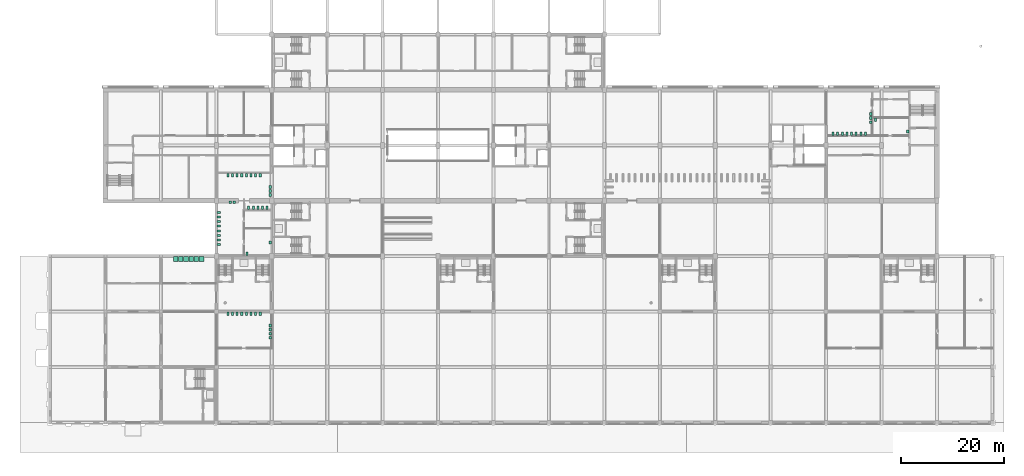
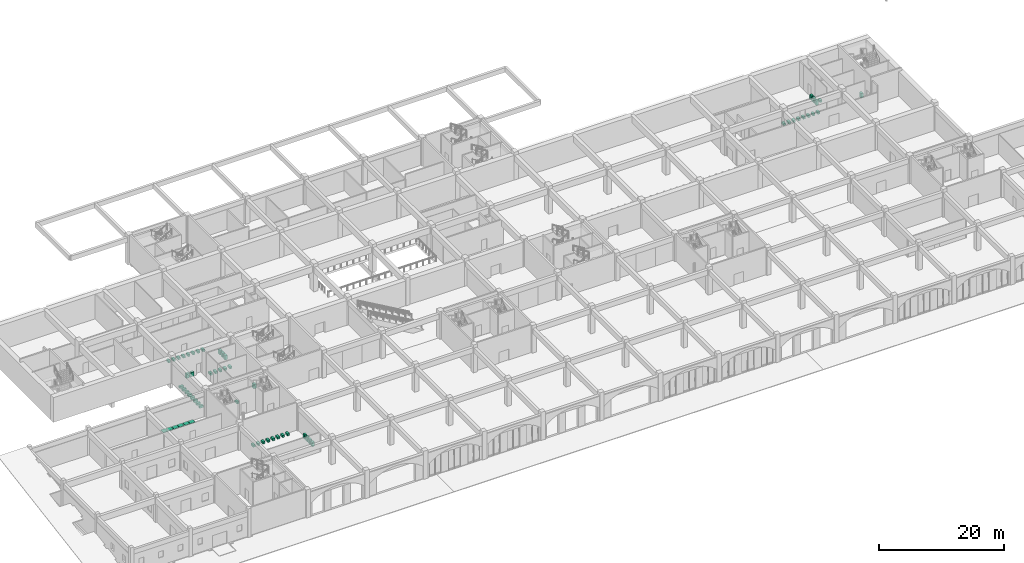
# One storey, part 100 of 101: 59 sanitary terminals.
"""IFC4 building model written with IfcOpenShell, lengths in metres."""

from ifc_helpers import new_model, si_unit, direction, frame, origin, origin_2d, place, context, subcontext, project, spatial, rectangle, extrude, element, save


model = new_model("IFC4")

# Units and contexts
model_context = context("Model", 3, precision=1e-05, world=origin(), true_north=direction((0.0, 1.0)))
body_context = subcontext(model_context, "Body", "Model", "MODEL_VIEW")
ifc_project = project(units=[si_unit("LENGTHUNIT", "METRE"), si_unit("AREAUNIT", "SQUARE_METRE"), si_unit("VOLUMEUNIT", "CUBIC_METRE"), si_unit("PLANEANGLEUNIT", "RADIAN"), si_unit("MASSUNIT", "GRAM", prefix="KILO")], contexts=[model_context])

# Site, building, storey
site_placement = place(None, origin())
site = spatial("IfcSite", under=ifc_project, at=site_placement, CompositionType="ELEMENT")
building_placement = place(site_placement, origin())
building = spatial("IfcBuilding", under=site, at=building_placement, Name="Magnolia Steps Interchange", CompositionType="ELEMENT")
storey_placement = place(building_placement, frame((0.0, 0.0, -5.39990234375)))
storey = spatial("IfcBuildingStorey", under=building, at=storey_placement, Name="B1", CompositionType="ELEMENT", Elevation=-5.39990234375)

# Sanitary terminals
for number, where, z_axis, x_axis, name in (
    (1, (44.64990234375, 58.14990234375, 0.0), (0.0, 0.0, 1.0), (1.0, 0.0, 0.0), "WC pan 1"),
    (2, (45.550048828125, 58.14990234375, 0.0), (0.0, 0.0, 1.0), (1.0, 0.0, 0.0), "WC pan 2"),
    (3, (46.449951171875, 58.14990234375, 0.0), (0.0, 0.0, 1.0), (1.0, 0.0, 0.0), "WC pan 3"),
    (4, (47.35009765625, 58.14990234375, 0.0), (0.0, 0.0, 1.0), (1.0, 0.0, 0.0), "WC pan 4"),
    (5, (48.25, 58.14990234375, 0.0), (0.0, 0.0, 1.0), (1.0, 0.0, 0.0), "WC pan 5"),
    (6, (49.14990234375, 58.14990234375, 0.0), (0.0, 0.0, 1.0), (1.0, 0.0, 0.0), "WC pan 6"),
    (7, (50.050048828125, 58.14990234375, 0.0), (0.0, 0.0, 1.0), (1.0, 0.0, 0.0), "WC pan 7"),
    (8, (50.949951171875, 58.14990234375, 0.0), (0.0, 0.0, 1.0), (1.0, 0.0, 0.0), "WC pan 8"),
):
    element("IfcSanitaryTerminal", number, at=place(storey_placement, frame(where, z_axis=z_axis, x_axis=x_axis)), inside=storey, Name=name, PredefinedType="TOILETPAN", context=body_context, shape_type="SweptSolid", body=[
        extrude(rectangle(XDim=0.39990234375, YDim=0.699951171875, at=origin_2d()), origin(), (0.0, 0.0, 1.0), 0.39990234375),
    ])
for number, where, z_axis, x_axis, name in (
    (9, (52.89990234375, 55.89990234375, -0.000244140625), (0.0, 0.0, 1.0), (1.0, 0.0, 0.0), "Wash basin 1"),
    (10, (52.89990234375, 55.10009765625, -0.000244140625), (0.0, 0.0, 1.0), (1.0, 0.0, 0.0), "Wash basin 2"),
    (11, (52.89990234375, 54.300048828125, -0.000244140625), (0.0, 0.0, 1.0), (1.0, 0.0, 0.0), "Wash basin 3"),
):
    element("IfcSanitaryTerminal", number, at=place(storey_placement, frame(where, z_axis=z_axis, x_axis=x_axis)), inside=storey, Name=name, PredefinedType="WASHHANDBASIN", context=body_context, shape_type="SweptSolid", body=[
        extrude(rectangle(XDim=0.449951171875, YDim=0.550048828125, at=origin_2d()), origin(), (0.0, 0.0, 1.0), 0.85009765625),
    ])
for number, where, z_axis, x_axis, name in (
    (12, (162.550048828125, 66.25, 0.0), (0.0, 0.0, 1.0), (1.0, 0.0, 0.0), "WC pan 1"),
    (13, (163.449951171875, 66.25, 0.0), (0.0, 0.0, 1.0), (1.0, 0.0, 0.0), "WC pan 2"),
    (14, (164.35009765625, 66.25, 0.0), (0.0, 0.0, 1.0), (1.0, 0.0, 0.0), "WC pan 3"),
    (15, (165.25, 66.25, 0.0), (0.0, 0.0, 1.0), (1.0, 0.0, 0.0), "WC pan 4"),
    (16, (166.14990234375, 66.25, 0.0), (0.0, 0.0, 1.0), (1.0, 0.0, 0.0), "WC pan 5"),
    (17, (167.050048828125, 66.25, 0.0), (0.0, 0.0, 1.0), (1.0, 0.0, 0.0), "WC pan 6"),
    (18, (167.949951171875, 66.25, 0.0), (0.0, 0.0, 1.0), (1.0, 0.0, 0.0), "WC pan 7"),
    (19, (168.85009765625, 66.25, 0.0), (0.0, 0.0, 1.0), (1.0, 0.0, 0.0), "WC pan 8"),
):
    element("IfcSanitaryTerminal", number, at=place(storey_placement, frame(where, z_axis=z_axis, x_axis=x_axis)), inside=storey, Name=name, PredefinedType="TOILETPAN", context=body_context, shape_type="SweptSolid", body=[
        extrude(rectangle(XDim=0.39990234375, YDim=0.699951171875, at=origin_2d()), origin(), (0.0, 0.0, 1.0), 0.39990234375),
    ])
for number, where, z_axis, x_axis, name in (
    (20, (169.89990234375, 68.5, -0.000244140625), (0.0, 0.0, 1.0), (1.0, 0.0, 0.0), "Wash basin 1"),
    (21, (169.89990234375, 69.300048828125, -0.000244140625), (0.0, 0.0, 1.0), (1.0, 0.0, 0.0), "Wash basin 2"),
    (22, (169.89990234375, 70.10009765625, -0.000244140625), (0.0, 0.0, 1.0), (1.0, 0.0, 0.0), "Wash basin 3"),
):
    element("IfcSanitaryTerminal", number, at=place(storey_placement, frame(where, z_axis=z_axis, x_axis=x_axis)), inside=storey, Name=name, PredefinedType="WASHHANDBASIN", context=body_context, shape_type="SweptSolid", body=[
        extrude(rectangle(XDim=0.449951171875, YDim=0.550048828125, at=origin_2d()), origin(), (0.0, 0.0, 1.0), 0.85009765625),
    ])
sanitary_terminal_1_placement = place(storey_placement, frame((170.800048828125, 68.949951171875, 0.0), z_axis=(0.0, 0.0, 1.0), x_axis=(1.0, 0.0, 0.0)))
element("IfcSanitaryTerminal", 23, at=sanitary_terminal_1_placement, inside=storey, Name="WC pan 1", PredefinedType="TOILETPAN", context=body_context, shape_type="SweptSolid", body=[
    extrude(rectangle(XDim=0.39990234375, YDim=0.699951171875, at=origin_2d()), origin(), (0.0, 0.0, 1.0), 0.39990234375),
])
sanitary_terminal_2_placement = place(storey_placement, frame((177.10009765625, 66.699951171875, -0.000244140625), z_axis=(0.0, 0.0, 1.0), x_axis=(1.0, 0.0, 0.0)))
element("IfcSanitaryTerminal", 24, at=sanitary_terminal_2_placement, inside=storey, Name="Wash basin 1", PredefinedType="WASHHANDBASIN", context=body_context, shape_type="SweptSolid", body=[
    extrude(rectangle(XDim=0.449951171875, YDim=0.550048828125, at=origin_2d()), origin(), (0.0, 0.0, 1.0), 0.85009765625),
])
for number, where, z_axis, x_axis, name in (
    (25, (42.85009765625, 44.64990234375, 0.0), (0.0, 0.0, 1.0), (0.0, 1.0, 0.0), "WC pan 1"),
    (26, (42.85009765625, 45.550048828125, 0.0), (0.0, 0.0, 1.0), (0.0, 1.0, 0.0), "WC pan 2"),
    (27, (42.85009765625, 46.449951171875, 0.0), (0.0, 0.0, 1.0), (0.0, 1.0, 0.0), "WC pan 3"),
    (28, (42.85009765625, 47.35009765625, 0.0), (0.0, 0.0, 1.0), (0.0, 1.0, 0.0), "WC pan 4"),
    (29, (42.85009765625, 48.25, 0.0), (0.0, 0.0, 1.0), (0.0, 1.0, 0.0), "WC pan 5"),
    (30, (42.85009765625, 49.14990234375, 0.0), (0.0, 0.0, 1.0), (0.0, 1.0, 0.0), "WC pan 6"),
    (31, (42.85009765625, 50.050048828125, 0.0), (0.0, 0.0, 1.0), (0.0, 1.0, 0.0), "WC pan 7"),
    (32, (42.85009765625, 50.949951171875, 0.0), (0.0, 0.0, 1.0), (0.0, 1.0, 0.0), "WC pan 8"),
):
    element("IfcSanitaryTerminal", number, at=place(storey_placement, frame(where, z_axis=z_axis, x_axis=x_axis)), inside=storey, Name=name, PredefinedType="TOILETPAN", context=body_context, shape_type="SweptSolid", body=[
        extrude(rectangle(XDim=0.39990234375, YDim=0.699951171875, at=origin_2d()), origin(), (0.0, 0.0, 1.0), 0.39990234375),
    ])
for number, where, z_axis, x_axis, name in (
    (33, (45.10009765625, 52.89990234375, -0.000244140625), (0.0, 0.0, 1.0), (1.0, 0.0, 0.0), "Wash basin 1"),
    (34, (45.89990234375, 52.89990234375, -0.000244140625), (0.0, 0.0, 1.0), (1.0, 0.0, 0.0), "Wash basin 2"),
):
    element("IfcSanitaryTerminal", number, at=place(storey_placement, frame(where, z_axis=z_axis, x_axis=x_axis)), inside=storey, Name=name, PredefinedType="WASHHANDBASIN", context=body_context, shape_type="SweptSolid", body=[
        extrude(rectangle(XDim=0.550048828125, YDim=0.449951171875, at=origin_2d()), origin(), (0.0, 0.0, 1.0), 0.85009765625),
    ])
sanitary_terminal_3_placement = place(storey_placement, frame((48.39990234375, 42.85009765625, 0.0), z_axis=(0.0, 0.0, 1.0), x_axis=(1.0, 0.0, 0.0)))
element("IfcSanitaryTerminal", 35, at=sanitary_terminal_3_placement, inside=storey, Name="WC pan 1", PredefinedType="TOILETPAN", context=body_context, shape_type="SweptSolid", body=[
    extrude(rectangle(XDim=0.39990234375, YDim=0.699951171875, at=origin_2d()), origin(), (0.0, 0.0, 1.0), 0.39990234375),
])
sanitary_terminal_4_placement = place(storey_placement, frame((52.89990234375, 45.10009765625, -0.000244140625), z_axis=(0.0, 0.0, 1.0), x_axis=(1.0, 0.0, 0.0)))
element("IfcSanitaryTerminal", 36, at=sanitary_terminal_4_placement, inside=storey, Name="Wash basin 1", PredefinedType="WASHHANDBASIN", context=body_context, shape_type="SweptSolid", body=[
    extrude(rectangle(XDim=0.449951171875, YDim=0.550048828125, at=origin_2d()), origin(), (0.0, 0.0, 1.0), 0.85009765625),
])
for number, where, z_axis, x_axis, name in (
    (37, (48.699951171875, 51.85009765625, 0.0), (0.0, 0.0, 1.0), (1.0, 0.0, 0.0), "WC pan 1"),
    (38, (49.60009765625, 51.85009765625, 0.0), (0.0, 0.0, 1.0), (1.0, 0.0, 0.0), "WC pan 2"),
    (39, (50.5, 51.85009765625, 0.0), (0.0, 0.0, 1.0), (1.0, 0.0, 0.0), "WC pan 3"),
    (40, (51.39990234375, 51.85009765625, 0.0), (0.0, 0.0, 1.0), (1.0, 0.0, 0.0), "WC pan 4"),
    (41, (52.300048828125, 51.85009765625, 0.0), (0.0, 0.0, 1.0), (1.0, 0.0, 0.0), "WC pan 5"),
    (42, (44.64990234375, 31.14990234375, 0.0), (0.0, 0.0, 1.0), (1.0, 0.0, 0.0), "WC pan 1"),
    (43, (45.550048828125, 31.14990234375, 0.0), (0.0, 0.0, 1.0), (1.0, 0.0, 0.0), "WC pan 2"),
    (44, (46.449951171875, 31.14990234375, 0.0), (0.0, 0.0, 1.0), (1.0, 0.0, 0.0), "WC pan 3"),
    (45, (47.35009765625, 31.14990234375, 0.0), (0.0, 0.0, 1.0), (1.0, 0.0, 0.0), "WC pan 4"),
    (46, (48.25, 31.14990234375, 0.0), (0.0, 0.0, 1.0), (1.0, 0.0, 0.0), "WC pan 5"),
    (47, (49.14990234375, 31.14990234375, 0.0), (0.0, 0.0, 1.0), (1.0, 0.0, 0.0), "WC pan 6"),
    (48, (50.050048828125, 31.14990234375, 0.0), (0.0, 0.0, 1.0), (1.0, 0.0, 0.0), "WC pan 7"),
    (49, (50.949951171875, 31.14990234375, 0.0), (0.0, 0.0, 1.0), (1.0, 0.0, 0.0), "WC pan 8"),
):
    element("IfcSanitaryTerminal", number, at=place(storey_placement, frame(where, z_axis=z_axis, x_axis=x_axis)), inside=storey, Name=name, PredefinedType="TOILETPAN", context=body_context, shape_type="SweptSolid", body=[
        extrude(rectangle(XDim=0.39990234375, YDim=0.699951171875, at=origin_2d()), origin(), (0.0, 0.0, 1.0), 0.39990234375),
    ])
for number, where, z_axis, x_axis, name in (
    (50, (52.89990234375, 28.89990234375, -0.000244140625), (0.0, 0.0, 1.0), (1.0, 0.0, 0.0), "Wash basin 1"),
    (51, (52.89990234375, 28.10009765625, -0.000244140625), (0.0, 0.0, 1.0), (1.0, 0.0, 0.0), "Wash basin 2"),
    (52, (52.89990234375, 27.300048828125, -0.000244140625), (0.0, 0.0, 1.0), (1.0, 0.0, 0.0), "Wash basin 3"),
    (53, (52.89990234375, 26.5, -0.000244140625), (0.0, 0.0, 1.0), (1.0, 0.0, 0.0), "Wash basin 4"),
):
    element("IfcSanitaryTerminal", number, at=place(storey_placement, frame(where, z_axis=z_axis, x_axis=x_axis)), inside=storey, Name=name, PredefinedType="WASHHANDBASIN", context=body_context, shape_type="SweptSolid", body=[
        extrude(rectangle(XDim=0.449951171875, YDim=0.550048828125, at=origin_2d()), origin(), (0.0, 0.0, 1.0), 0.85009765625),
    ])
for number, where, z_axis, x_axis, name in (
    (54, (34.5, 41.85009765625, -0.000244140625), (0.0, 0.0, 1.0), (1.0, 0.0, 0.0), "Shower tray 1"),
    (55, (35.5, 41.85009765625, -0.000244140625), (0.0, 0.0, 1.0), (1.0, 0.0, 0.0), "Shower tray 2"),
    (56, (36.5, 41.85009765625, -0.000244140625), (0.0, 0.0, 1.0), (1.0, 0.0, 0.0), "Shower tray 3"),
    (57, (37.5, 41.85009765625, -0.000244140625), (0.0, 0.0, 1.0), (1.0, 0.0, 0.0), "Shower tray 4"),
    (58, (38.5, 41.85009765625, -0.000244140625), (0.0, 0.0, 1.0), (1.0, 0.0, 0.0), "Shower tray 5"),
    (59, (39.5, 41.85009765625, -0.000244140625), (0.0, 0.0, 1.0), (1.0, 0.0, 0.0), "Shower tray 6"),
):
    element("IfcSanitaryTerminal", number, at=place(storey_placement, frame(where, z_axis=z_axis, x_axis=x_axis)), inside=storey, Name=name, PredefinedType="SHOWER", context=body_context, shape_type="SweptSolid", body=[
        extrude(rectangle(XDim=0.89990234375, YDim=0.89990234375, at=origin_2d()), origin(), (0.0, 0.0, 1.0), 0.10009765625),
    ])

save(model, "model.ifc")
